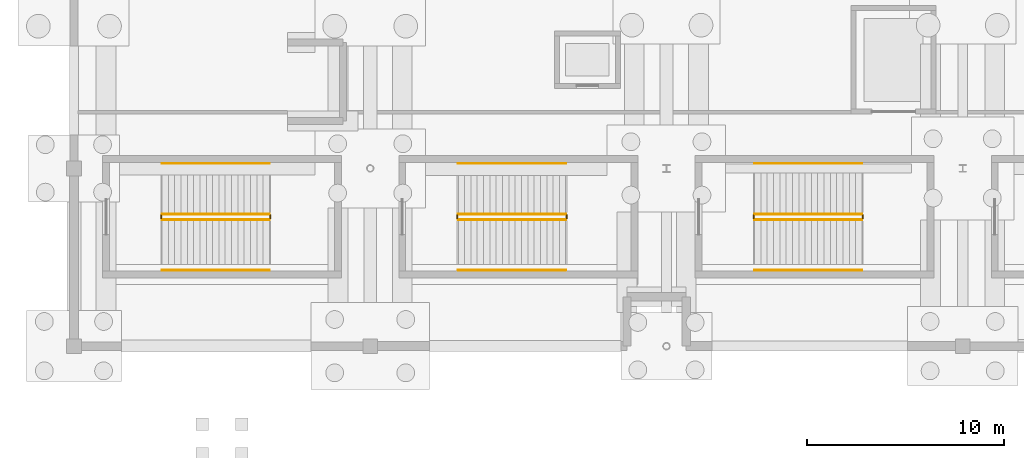
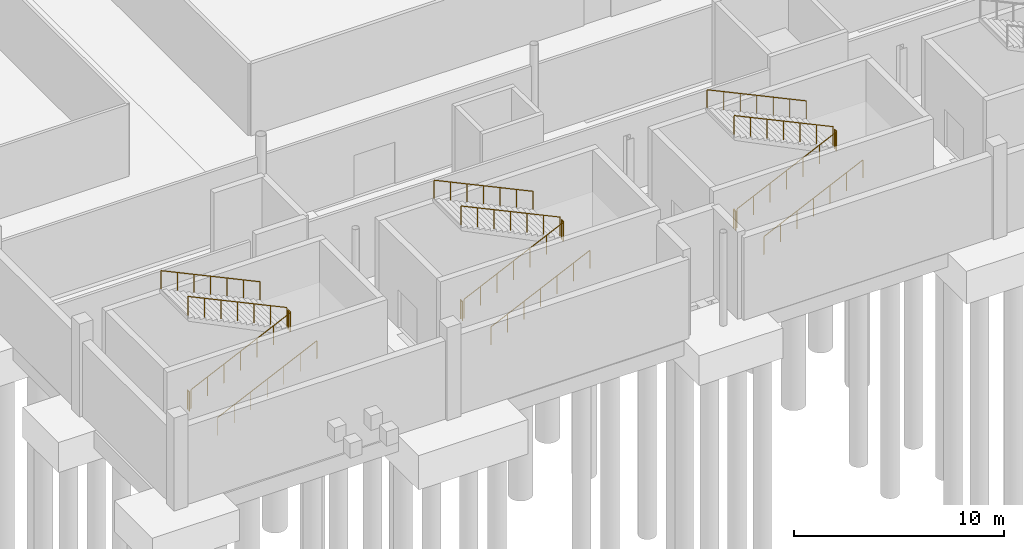
# One storey, part 49 of 58: 18 railings.
"""IFC4 building model written with IfcOpenShell, lengths in metres."""

from ifc_helpers import new_model, si_unit, direction, frame, origin, origin_2d, place, context, subcontext, project, spatial, circle, extrude, material, type_object, element, save


model = new_model("IFC4")

# Units and contexts
model_context = context("Model", 3, precision=1e-05, world=origin(), true_north=direction((0.0, 1.0)))
body_context = subcontext(model_context, "Body", "Model", "MODEL_VIEW")
ifc_project = project(units=[si_unit("LENGTHUNIT", "METRE"), si_unit("AREAUNIT", "SQUARE_METRE"), si_unit("VOLUMEUNIT", "CUBIC_METRE"), si_unit("PLANEANGLEUNIT", "RADIAN"), si_unit("MASSUNIT", "GRAM", prefix="KILO")], contexts=[model_context])

# Site, building, storey
site_placement = place(None, origin())
site = spatial("IfcSite", under=ifc_project, at=site_placement, CompositionType="ELEMENT")
building_placement = place(site_placement, origin())
building = spatial("IfcBuilding", under=site, at=building_placement, Name="Qamarlyn Nura Convention Centre", CompositionType="ELEMENT")
storey_placement = place(building_placement, frame((0.0, 0.0, -5.39990234375)))
storey = spatial("IfcBuildingStorey", under=building, at=storey_placement, Name="B01", CompositionType="ELEMENT", Elevation=-5.39990234375)

# Railings
ifc_material = material(Name="Marine Grade 316 stainless steel", Category="steel")
railing_type_1 = type_object("IfcRailingType", Name="GRD-STAIR-112", PredefinedType="BALUSTRADE", material=ifc_material)
railing_1_placement = place(storey_placement, frame((64.4599609375, 6.409912109375, 0.14990234375)))
element("IfcRailing", 1, at=railing_1_placement, inside=storey, type_object=railing_type_1, Name="B01 ST-05 stair guard 1", PredefinedType="BALUSTRADE", context=body_context, shape_type="SweptSolid", body=[
    extrude(circle(Radius=0.02392578125, at=origin_2d()), frame((0.0, 0.0, 1.09619140625), z_axis=(0.90545405566, 0.0, 0.424444287379), x_axis=(0.0, 1.0, 0.0)), (0.0, 0.0, 1.0), 6.008056640625),
    extrude(circle(Radius=0.02099609375, at=origin_2d()), origin(), (0.0, 0.0, 1.0), 1.070068359375),
    extrude(circle(Radius=0.02099609375, at=origin_2d()), frame((0.90673828125, 0.0, 0.425048828125)), (0.0, 0.0, 1.0), 1.070068359375),
    extrude(circle(Radius=0.02099609375, at=origin_2d()), frame((1.813232421875, 0.0, 0.85009765625)), (0.0, 0.0, 1.0), 1.070068359375),
    extrude(circle(Radius=0.02099609375, at=origin_2d()), frame((2.719970703125, 0.0, 1.27490234375)), (0.0, 0.0, 1.0), 1.070068359375),
    extrude(circle(Radius=0.02099609375, at=origin_2d()), frame((3.626708984375, 0.0, 1.699951171875)), (0.0, 0.0, 1.0), 1.070068359375),
    extrude(circle(Radius=0.02099609375, at=origin_2d()), frame((4.533203125, 0.0, 2.125)), (0.0, 0.0, 1.0), 1.070068359375),
    extrude(circle(Radius=0.02099609375, at=origin_2d()), frame((5.43994140625, 0.0, 2.550048828125)), (0.0, 0.0, 1.0), 1.070068359375),
])
railing_2_placement = place(storey_placement, frame((69.949951171875, 6.4599609375, 2.699951171875)))
element("IfcRailing", 2, at=railing_2_placement, inside=storey, type_object=railing_type_1, Name="B01 ST-05 stair guard 2", PredefinedType="BALUSTRADE", context=body_context, shape_type="SweptSolid", body=[
    extrude(circle(Radius=0.02392578125, at=origin_2d()), frame((0.0, 0.0, 1.09619140625), z_axis=(0.0, 1.0, 0.0), x_axis=(-1.0, 0.0, 0.0)), (0.0, 0.0, 1.0), 0.179931640625),
    extrude(circle(Radius=0.02099609375, at=origin_2d()), origin(), (0.0, 0.0, 1.0), 1.070068359375),
    extrude(circle(Radius=0.02099609375, at=origin_2d()), frame((0.0, 0.179931640625, 0.0)), (0.0, 0.0, 1.0), 1.070068359375),
])
railing_3_placement = place(storey_placement, frame((69.89990234375, 6.68994140625, 2.849853515625)))
element("IfcRailing", 3, at=railing_3_placement, inside=storey, type_object=railing_type_1, Name="B01 ST-05 stair guard 3", PredefinedType="BALUSTRADE", context=body_context, shape_type="SweptSolid", body=[
    extrude(circle(Radius=0.02392578125, at=origin_2d()), frame((0.0, 0.0, 1.09619140625), z_axis=(-0.90545405566, 0.0, 0.424444287379), x_axis=(0.0, -1.0, 0.0)), (0.0, 0.0, 1.0), 6.008056640625),
    extrude(circle(Radius=0.02099609375, at=origin_2d()), origin(), (0.0, 0.0, 1.0), 1.070068359375),
    extrude(circle(Radius=0.02099609375, at=origin_2d()), frame((-0.90673828125, 0.0, 0.425048828125)), (0.0, 0.0, 1.0), 1.070068359375),
    extrude(circle(Radius=0.02099609375, at=origin_2d()), frame((-1.813232421875, 0.0, 0.85009765625)), (0.0, 0.0, 1.0), 1.070068359375),
    extrude(circle(Radius=0.02099609375, at=origin_2d()), frame((-2.719970703125, 0.0, 1.27490234375)), (0.0, 0.0, 1.0), 1.070068359375),
    extrude(circle(Radius=0.02099609375, at=origin_2d()), frame((-3.626708984375, 0.0, 1.699951171875)), (0.0, 0.0, 1.0), 1.070068359375),
    extrude(circle(Radius=0.02099609375, at=origin_2d()), frame((-4.533203125, 0.0, 2.125)), (0.0, 0.0, 1.0), 1.070068359375),
    extrude(circle(Radius=0.02099609375, at=origin_2d()), frame((-5.43994140625, 0.0, 2.550048828125)), (0.0, 0.0, 1.0), 1.070068359375),
])
railing_4_placement = place(storey_placement, frame((64.409912109375, 6.4599609375, 0.0)))
element("IfcRailing", 4, at=railing_4_placement, inside=storey, type_object=railing_type_1, Name="B01 ST-05 stair guard 4", PredefinedType="BALUSTRADE", context=body_context, shape_type="SweptSolid", body=[
    extrude(circle(Radius=0.02392578125, at=origin_2d()), frame((0.0, 0.0, 1.09619140625), z_axis=(0.0, 1.0, 0.0), x_axis=(-1.0, 0.0, 0.0)), (0.0, 0.0, 1.0), 0.179931640625),
    extrude(circle(Radius=0.02099609375, at=origin_2d()), origin(), (0.0, 0.0, 1.0), 1.070068359375),
    extrude(circle(Radius=0.02099609375, at=origin_2d()), frame((0.0, 0.179931640625, 0.0)), (0.0, 0.0, 1.0), 1.070068359375),
])
railing_5_placement = place(storey_placement, frame((79.4599609375, 6.409912109375, 0.14990234375)))
element("IfcRailing", 5, at=railing_5_placement, inside=storey, type_object=railing_type_1, Name="B01 ST-06 stair guard 1", PredefinedType="BALUSTRADE", context=body_context, shape_type="SweptSolid", body=[
    extrude(circle(Radius=0.02392578125, at=origin_2d()), frame((0.0, 0.0, 1.09619140625), z_axis=(0.90545405566, 0.0, 0.424444287379), x_axis=(0.0, 1.0, 0.0)), (0.0, 0.0, 1.0), 6.008056640625),
    extrude(circle(Radius=0.02099609375, at=origin_2d()), origin(), (0.0, 0.0, 1.0), 1.070068359375),
    extrude(circle(Radius=0.02099609375, at=origin_2d()), frame((0.90673828125, 0.0, 0.425048828125)), (0.0, 0.0, 1.0), 1.070068359375),
    extrude(circle(Radius=0.02099609375, at=origin_2d()), frame((1.813232421875, 0.0, 0.85009765625)), (0.0, 0.0, 1.0), 1.070068359375),
    extrude(circle(Radius=0.02099609375, at=origin_2d()), frame((2.719970703125, 0.0, 1.27490234375)), (0.0, 0.0, 1.0), 1.070068359375),
    extrude(circle(Radius=0.02099609375, at=origin_2d()), frame((3.626708984375, 0.0, 1.699951171875)), (0.0, 0.0, 1.0), 1.070068359375),
    extrude(circle(Radius=0.02099609375, at=origin_2d()), frame((4.533203125, 0.0, 2.125)), (0.0, 0.0, 1.0), 1.070068359375),
    extrude(circle(Radius=0.02099609375, at=origin_2d()), frame((5.43994140625, 0.0, 2.550048828125)), (0.0, 0.0, 1.0), 1.070068359375),
])
railing_6_placement = place(storey_placement, frame((84.949951171875, 6.4599609375, 2.699951171875)))
element("IfcRailing", 6, at=railing_6_placement, inside=storey, type_object=railing_type_1, Name="B01 ST-06 stair guard 2", PredefinedType="BALUSTRADE", context=body_context, shape_type="SweptSolid", body=[
    extrude(circle(Radius=0.02392578125, at=origin_2d()), frame((0.0, 0.0, 1.09619140625), z_axis=(0.0, 1.0, 0.0), x_axis=(-1.0, 0.0, 0.0)), (0.0, 0.0, 1.0), 0.179931640625),
    extrude(circle(Radius=0.02099609375, at=origin_2d()), origin(), (0.0, 0.0, 1.0), 1.070068359375),
    extrude(circle(Radius=0.02099609375, at=origin_2d()), frame((0.0, 0.179931640625, 0.0)), (0.0, 0.0, 1.0), 1.070068359375),
])
railing_7_placement = place(storey_placement, frame((84.89990234375, 6.68994140625, 2.849853515625)))
element("IfcRailing", 7, at=railing_7_placement, inside=storey, type_object=railing_type_1, Name="B01 ST-06 stair guard 3", PredefinedType="BALUSTRADE", context=body_context, shape_type="SweptSolid", body=[
    extrude(circle(Radius=0.02392578125, at=origin_2d()), frame((0.0, 0.0, 1.09619140625), z_axis=(-0.90545405566, 0.0, 0.424444287379), x_axis=(0.0, -1.0, 0.0)), (0.0, 0.0, 1.0), 6.008056640625),
    extrude(circle(Radius=0.02099609375, at=origin_2d()), origin(), (0.0, 0.0, 1.0), 1.070068359375),
    extrude(circle(Radius=0.02099609375, at=origin_2d()), frame((-0.90673828125, 0.0, 0.425048828125)), (0.0, 0.0, 1.0), 1.070068359375),
    extrude(circle(Radius=0.02099609375, at=origin_2d()), frame((-1.813232421875, 0.0, 0.85009765625)), (0.0, 0.0, 1.0), 1.070068359375),
    extrude(circle(Radius=0.02099609375, at=origin_2d()), frame((-2.719970703125, 0.0, 1.27490234375)), (0.0, 0.0, 1.0), 1.070068359375),
    extrude(circle(Radius=0.02099609375, at=origin_2d()), frame((-3.626708984375, 0.0, 1.699951171875)), (0.0, 0.0, 1.0), 1.070068359375),
    extrude(circle(Radius=0.02099609375, at=origin_2d()), frame((-4.533203125, 0.0, 2.125)), (0.0, 0.0, 1.0), 1.070068359375),
    extrude(circle(Radius=0.02099609375, at=origin_2d()), frame((-5.43994140625, 0.0, 2.550048828125)), (0.0, 0.0, 1.0), 1.070068359375),
])
railing_8_placement = place(storey_placement, frame((79.409912109375, 6.4599609375, 0.0)))
element("IfcRailing", 8, at=railing_8_placement, inside=storey, type_object=railing_type_1, Name="B01 ST-06 stair guard 4", PredefinedType="BALUSTRADE", context=body_context, shape_type="SweptSolid", body=[
    extrude(circle(Radius=0.02392578125, at=origin_2d()), frame((0.0, 0.0, 1.09619140625), z_axis=(0.0, 1.0, 0.0), x_axis=(-1.0, 0.0, 0.0)), (0.0, 0.0, 1.0), 0.179931640625),
    extrude(circle(Radius=0.02099609375, at=origin_2d()), origin(), (0.0, 0.0, 1.0), 1.070068359375),
    extrude(circle(Radius=0.02099609375, at=origin_2d()), frame((0.0, 0.179931640625, 0.0)), (0.0, 0.0, 1.0), 1.070068359375),
])
railing_9_placement = place(storey_placement, frame((94.4599609375, 6.409912109375, 0.14990234375)))
element("IfcRailing", 9, at=railing_9_placement, inside=storey, type_object=railing_type_1, Name="B01 ST-07 stair guard 1", PredefinedType="BALUSTRADE", context=body_context, shape_type="SweptSolid", body=[
    extrude(circle(Radius=0.02392578125, at=origin_2d()), frame((0.0, 0.0, 1.09619140625), z_axis=(0.90545405566, 0.0, 0.424444287379), x_axis=(0.0, 1.0, 0.0)), (0.0, 0.0, 1.0), 6.008056640625),
    extrude(circle(Radius=0.02099609375, at=origin_2d()), origin(), (0.0, 0.0, 1.0), 1.070068359375),
    extrude(circle(Radius=0.02099609375, at=origin_2d()), frame((0.90673828125, 0.0, 0.425048828125)), (0.0, 0.0, 1.0), 1.070068359375),
    extrude(circle(Radius=0.02099609375, at=origin_2d()), frame((1.813232421875, 0.0, 0.85009765625)), (0.0, 0.0, 1.0), 1.070068359375),
    extrude(circle(Radius=0.02099609375, at=origin_2d()), frame((2.719970703125, 0.0, 1.27490234375)), (0.0, 0.0, 1.0), 1.070068359375),
    extrude(circle(Radius=0.02099609375, at=origin_2d()), frame((3.626708984375, 0.0, 1.699951171875)), (0.0, 0.0, 1.0), 1.070068359375),
    extrude(circle(Radius=0.02099609375, at=origin_2d()), frame((4.533203125, 0.0, 2.125)), (0.0, 0.0, 1.0), 1.070068359375),
    extrude(circle(Radius=0.02099609375, at=origin_2d()), frame((5.43994140625, 0.0, 2.550048828125)), (0.0, 0.0, 1.0), 1.070068359375),
])
railing_10_placement = place(storey_placement, frame((99.949951171875, 6.4599609375, 2.699951171875)))
element("IfcRailing", 10, at=railing_10_placement, inside=storey, type_object=railing_type_1, Name="B01 ST-07 stair guard 2", PredefinedType="BALUSTRADE", context=body_context, shape_type="SweptSolid", body=[
    extrude(circle(Radius=0.02392578125, at=origin_2d()), frame((0.0, 0.0, 1.09619140625), z_axis=(0.0, 1.0, 0.0), x_axis=(-1.0, 0.0, 0.0)), (0.0, 0.0, 1.0), 0.179931640625),
    extrude(circle(Radius=0.02099609375, at=origin_2d()), origin(), (0.0, 0.0, 1.0), 1.070068359375),
    extrude(circle(Radius=0.02099609375, at=origin_2d()), frame((0.0, 0.179931640625, 0.0)), (0.0, 0.0, 1.0), 1.070068359375),
])
railing_11_placement = place(storey_placement, frame((99.89990234375, 6.68994140625, 2.849853515625)))
element("IfcRailing", 11, at=railing_11_placement, inside=storey, type_object=railing_type_1, Name="B01 ST-07 stair guard 3", PredefinedType="BALUSTRADE", context=body_context, shape_type="SweptSolid", body=[
    extrude(circle(Radius=0.02392578125, at=origin_2d()), frame((0.0, 0.0, 1.09619140625), z_axis=(-0.90545405566, 0.0, 0.424444287379), x_axis=(0.0, -1.0, 0.0)), (0.0, 0.0, 1.0), 6.008056640625),
    extrude(circle(Radius=0.02099609375, at=origin_2d()), origin(), (0.0, 0.0, 1.0), 1.070068359375),
    extrude(circle(Radius=0.02099609375, at=origin_2d()), frame((-0.90673828125, 0.0, 0.425048828125)), (0.0, 0.0, 1.0), 1.070068359375),
    extrude(circle(Radius=0.02099609375, at=origin_2d()), frame((-1.813232421875, 0.0, 0.85009765625)), (0.0, 0.0, 1.0), 1.070068359375),
    extrude(circle(Radius=0.02099609375, at=origin_2d()), frame((-2.719970703125, 0.0, 1.27490234375)), (0.0, 0.0, 1.0), 1.070068359375),
    extrude(circle(Radius=0.02099609375, at=origin_2d()), frame((-3.626708984375, 0.0, 1.699951171875)), (0.0, 0.0, 1.0), 1.070068359375),
    extrude(circle(Radius=0.02099609375, at=origin_2d()), frame((-4.533203125, 0.0, 2.125)), (0.0, 0.0, 1.0), 1.070068359375),
    extrude(circle(Radius=0.02099609375, at=origin_2d()), frame((-5.43994140625, 0.0, 2.550048828125)), (0.0, 0.0, 1.0), 1.070068359375),
])
railing_12_placement = place(storey_placement, frame((94.409912109375, 6.4599609375, 0.0)))
element("IfcRailing", 12, at=railing_12_placement, inside=storey, type_object=railing_type_1, Name="B01 ST-07 stair guard 4", PredefinedType="BALUSTRADE", context=body_context, shape_type="SweptSolid", body=[
    extrude(circle(Radius=0.02392578125, at=origin_2d()), frame((0.0, 0.0, 1.09619140625), z_axis=(0.0, 1.0, 0.0), x_axis=(-1.0, 0.0, 0.0)), (0.0, 0.0, 1.0), 0.179931640625),
    extrude(circle(Radius=0.02099609375, at=origin_2d()), origin(), (0.0, 0.0, 1.0), 1.070068359375),
    extrude(circle(Radius=0.02099609375, at=origin_2d()), frame((0.0, 0.179931640625, 0.0)), (0.0, 0.0, 1.0), 1.070068359375),
])
railing_type_2 = type_object("IfcRailingType", Name="HRL-STAIR-090", PredefinedType="HANDRAIL", material=ifc_material)
railing_13_placement = place(storey_placement, frame((64.4599609375, 3.85009765625, 0.30224609375)))
element("IfcRailing", 13, at=railing_13_placement, inside=storey, type_object=railing_type_2, Name="B01 ST-05 stair handrail 1", PredefinedType="HANDRAIL", context=body_context, shape_type="SweptSolid", body=[
    extrude(circle(Radius=0.02392578125, at=origin_2d()), frame((0.0, 0.0, 0.88818359375), z_axis=(0.90545405566, 0.0, 0.424444287379), x_axis=(0.0, 1.0, 0.0)), (0.0, 0.0, 1.0), 6.008056640625),
    extrude(circle(Radius=0.02099609375, at=origin_2d()), frame((0.0, 0.0, -0.155029296875)), (0.0, 0.0, 1.0), 1.01708984375),
    extrude(circle(Radius=0.02099609375, at=origin_2d()), frame((0.90673828125, 0.0, 0.27001953125)), (0.0, 0.0, 1.0), 1.01708984375),
    extrude(circle(Radius=0.02099609375, at=origin_2d()), frame((1.813232421875, 0.0, 0.695068359375)), (0.0, 0.0, 1.0), 1.01708984375),
    extrude(circle(Radius=0.02099609375, at=origin_2d()), frame((2.719970703125, 0.0, 1.1201171875)), (0.0, 0.0, 1.0), 1.01708984375),
    extrude(circle(Radius=0.02099609375, at=origin_2d()), frame((3.626708984375, 0.0, 1.544921875)), (0.0, 0.0, 1.0), 1.01708984375),
    extrude(circle(Radius=0.02099609375, at=origin_2d()), frame((4.533203125, 0.0, 1.969970703125)), (0.0, 0.0, 1.0), 1.01708984375),
    extrude(circle(Radius=0.02099609375, at=origin_2d()), frame((5.43994140625, 0.0, 2.39501953125)), (0.0, 0.0, 1.0), 1.01708984375),
])
railing_14_placement = place(storey_placement, frame((69.89990234375, 9.25, 3.002197265625)))
element("IfcRailing", 14, at=railing_14_placement, inside=storey, type_object=railing_type_2, Name="B01 ST-05 stair handrail 2", PredefinedType="HANDRAIL", context=body_context, shape_type="SweptSolid", body=[
    extrude(circle(Radius=0.02392578125, at=origin_2d()), frame((0.0, 0.0, 0.88818359375), z_axis=(-0.90545405566, 0.0, 0.424444287379), x_axis=(0.0, -1.0, 0.0)), (0.0, 0.0, 1.0), 6.008056640625),
    extrude(circle(Radius=0.02099609375, at=origin_2d()), frame((0.0, 0.0, -0.155029296875)), (0.0, 0.0, 1.0), 1.01708984375),
    extrude(circle(Radius=0.02099609375, at=origin_2d()), frame((-0.90673828125, 0.0, 0.27001953125)), (0.0, 0.0, 1.0), 1.01708984375),
    extrude(circle(Radius=0.02099609375, at=origin_2d()), frame((-1.813232421875, 0.0, 0.695068359375)), (0.0, 0.0, 1.0), 1.01708984375),
    extrude(circle(Radius=0.02099609375, at=origin_2d()), frame((-2.719970703125, 0.0, 1.1201171875)), (0.0, 0.0, 1.0), 1.01708984375),
    extrude(circle(Radius=0.02099609375, at=origin_2d()), frame((-3.626708984375, 0.0, 1.544921875)), (0.0, 0.0, 1.0), 1.01708984375),
    extrude(circle(Radius=0.02099609375, at=origin_2d()), frame((-4.533203125, 0.0, 1.969970703125)), (0.0, 0.0, 1.0), 1.01708984375),
    extrude(circle(Radius=0.02099609375, at=origin_2d()), frame((-5.43994140625, 0.0, 2.39501953125)), (0.0, 0.0, 1.0), 1.01708984375),
])
railing_15_placement = place(storey_placement, frame((79.4599609375, 3.85009765625, 0.30224609375)))
element("IfcRailing", 15, at=railing_15_placement, inside=storey, type_object=railing_type_2, Name="B01 ST-06 stair handrail 1", PredefinedType="HANDRAIL", context=body_context, shape_type="SweptSolid", body=[
    extrude(circle(Radius=0.02392578125, at=origin_2d()), frame((0.0, 0.0, 0.88818359375), z_axis=(0.90545405566, 0.0, 0.424444287379), x_axis=(0.0, 1.0, 0.0)), (0.0, 0.0, 1.0), 6.008056640625),
    extrude(circle(Radius=0.02099609375, at=origin_2d()), frame((0.0, 0.0, -0.155029296875)), (0.0, 0.0, 1.0), 1.01708984375),
    extrude(circle(Radius=0.02099609375, at=origin_2d()), frame((0.90673828125, 0.0, 0.27001953125)), (0.0, 0.0, 1.0), 1.01708984375),
    extrude(circle(Radius=0.02099609375, at=origin_2d()), frame((1.813232421875, 0.0, 0.695068359375)), (0.0, 0.0, 1.0), 1.01708984375),
    extrude(circle(Radius=0.02099609375, at=origin_2d()), frame((2.719970703125, 0.0, 1.1201171875)), (0.0, 0.0, 1.0), 1.01708984375),
    extrude(circle(Radius=0.02099609375, at=origin_2d()), frame((3.626708984375, 0.0, 1.544921875)), (0.0, 0.0, 1.0), 1.01708984375),
    extrude(circle(Radius=0.02099609375, at=origin_2d()), frame((4.533203125, 0.0, 1.969970703125)), (0.0, 0.0, 1.0), 1.01708984375),
    extrude(circle(Radius=0.02099609375, at=origin_2d()), frame((5.43994140625, 0.0, 2.39501953125)), (0.0, 0.0, 1.0), 1.01708984375),
])
railing_16_placement = place(storey_placement, frame((84.89990234375, 9.25, 3.002197265625)))
element("IfcRailing", 16, at=railing_16_placement, inside=storey, type_object=railing_type_2, Name="B01 ST-06 stair handrail 2", PredefinedType="HANDRAIL", context=body_context, shape_type="SweptSolid", body=[
    extrude(circle(Radius=0.02392578125, at=origin_2d()), frame((0.0, 0.0, 0.88818359375), z_axis=(-0.90545405566, 0.0, 0.424444287379), x_axis=(0.0, -1.0, 0.0)), (0.0, 0.0, 1.0), 6.008056640625),
    extrude(circle(Radius=0.02099609375, at=origin_2d()), frame((0.0, 0.0, -0.155029296875)), (0.0, 0.0, 1.0), 1.01708984375),
    extrude(circle(Radius=0.02099609375, at=origin_2d()), frame((-0.90673828125, 0.0, 0.27001953125)), (0.0, 0.0, 1.0), 1.01708984375),
    extrude(circle(Radius=0.02099609375, at=origin_2d()), frame((-1.813232421875, 0.0, 0.695068359375)), (0.0, 0.0, 1.0), 1.01708984375),
    extrude(circle(Radius=0.02099609375, at=origin_2d()), frame((-2.719970703125, 0.0, 1.1201171875)), (0.0, 0.0, 1.0), 1.01708984375),
    extrude(circle(Radius=0.02099609375, at=origin_2d()), frame((-3.626708984375, 0.0, 1.544921875)), (0.0, 0.0, 1.0), 1.01708984375),
    extrude(circle(Radius=0.02099609375, at=origin_2d()), frame((-4.533203125, 0.0, 1.969970703125)), (0.0, 0.0, 1.0), 1.01708984375),
    extrude(circle(Radius=0.02099609375, at=origin_2d()), frame((-5.43994140625, 0.0, 2.39501953125)), (0.0, 0.0, 1.0), 1.01708984375),
])
railing_17_placement = place(storey_placement, frame((94.4599609375, 3.85009765625, 0.30224609375)))
element("IfcRailing", 17, at=railing_17_placement, inside=storey, type_object=railing_type_2, Name="B01 ST-07 stair handrail 1", PredefinedType="HANDRAIL", context=body_context, shape_type="SweptSolid", body=[
    extrude(circle(Radius=0.02392578125, at=origin_2d()), frame((0.0, 0.0, 0.88818359375), z_axis=(0.90545405566, 0.0, 0.424444287379), x_axis=(0.0, 1.0, 0.0)), (0.0, 0.0, 1.0), 6.008056640625),
    extrude(circle(Radius=0.02099609375, at=origin_2d()), frame((0.0, 0.0, -0.155029296875)), (0.0, 0.0, 1.0), 1.01708984375),
    extrude(circle(Radius=0.02099609375, at=origin_2d()), frame((0.90673828125, 0.0, 0.27001953125)), (0.0, 0.0, 1.0), 1.01708984375),
    extrude(circle(Radius=0.02099609375, at=origin_2d()), frame((1.813232421875, 0.0, 0.695068359375)), (0.0, 0.0, 1.0), 1.01708984375),
    extrude(circle(Radius=0.02099609375, at=origin_2d()), frame((2.719970703125, 0.0, 1.1201171875)), (0.0, 0.0, 1.0), 1.01708984375),
    extrude(circle(Radius=0.02099609375, at=origin_2d()), frame((3.626708984375, 0.0, 1.544921875)), (0.0, 0.0, 1.0), 1.01708984375),
    extrude(circle(Radius=0.02099609375, at=origin_2d()), frame((4.533203125, 0.0, 1.969970703125)), (0.0, 0.0, 1.0), 1.01708984375),
    extrude(circle(Radius=0.02099609375, at=origin_2d()), frame((5.43994140625, 0.0, 2.39501953125)), (0.0, 0.0, 1.0), 1.01708984375),
])
railing_18_placement = place(storey_placement, frame((99.89990234375, 9.25, 3.002197265625)))
element("IfcRailing", 18, at=railing_18_placement, inside=storey, type_object=railing_type_2, Name="B01 ST-07 stair handrail 2", PredefinedType="HANDRAIL", context=body_context, shape_type="SweptSolid", body=[
    extrude(circle(Radius=0.02392578125, at=origin_2d()), frame((0.0, 0.0, 0.88818359375), z_axis=(-0.90545405566, 0.0, 0.424444287379), x_axis=(0.0, -1.0, 0.0)), (0.0, 0.0, 1.0), 6.008056640625),
    extrude(circle(Radius=0.02099609375, at=origin_2d()), frame((0.0, 0.0, -0.155029296875)), (0.0, 0.0, 1.0), 1.01708984375),
    extrude(circle(Radius=0.02099609375, at=origin_2d()), frame((-0.90673828125, 0.0, 0.27001953125)), (0.0, 0.0, 1.0), 1.01708984375),
    extrude(circle(Radius=0.02099609375, at=origin_2d()), frame((-1.813232421875, 0.0, 0.695068359375)), (0.0, 0.0, 1.0), 1.01708984375),
    extrude(circle(Radius=0.02099609375, at=origin_2d()), frame((-2.719970703125, 0.0, 1.1201171875)), (0.0, 0.0, 1.0), 1.01708984375),
    extrude(circle(Radius=0.02099609375, at=origin_2d()), frame((-3.626708984375, 0.0, 1.544921875)), (0.0, 0.0, 1.0), 1.01708984375),
    extrude(circle(Radius=0.02099609375, at=origin_2d()), frame((-4.533203125, 0.0, 1.969970703125)), (0.0, 0.0, 1.0), 1.01708984375),
    extrude(circle(Radius=0.02099609375, at=origin_2d()), frame((-5.43994140625, 0.0, 2.39501953125)), (0.0, 0.0, 1.0), 1.01708984375),
])

save(model, "model.ifc")
